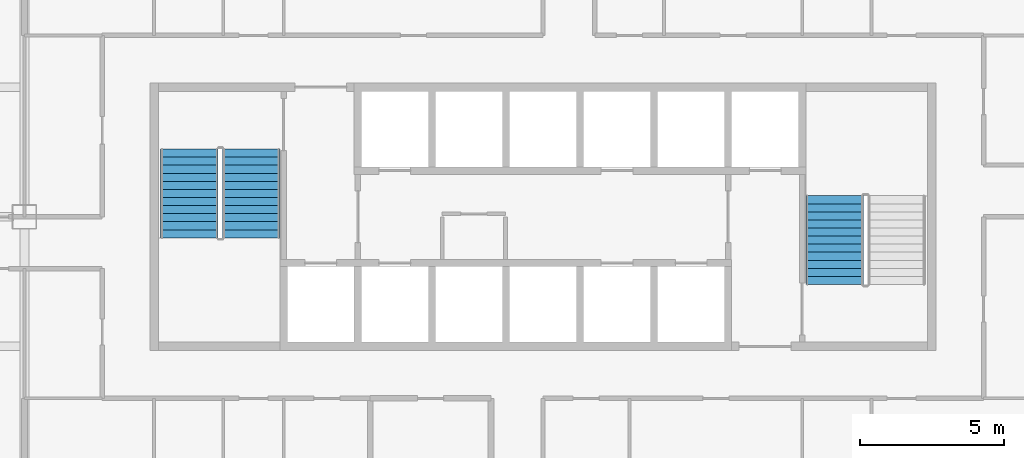
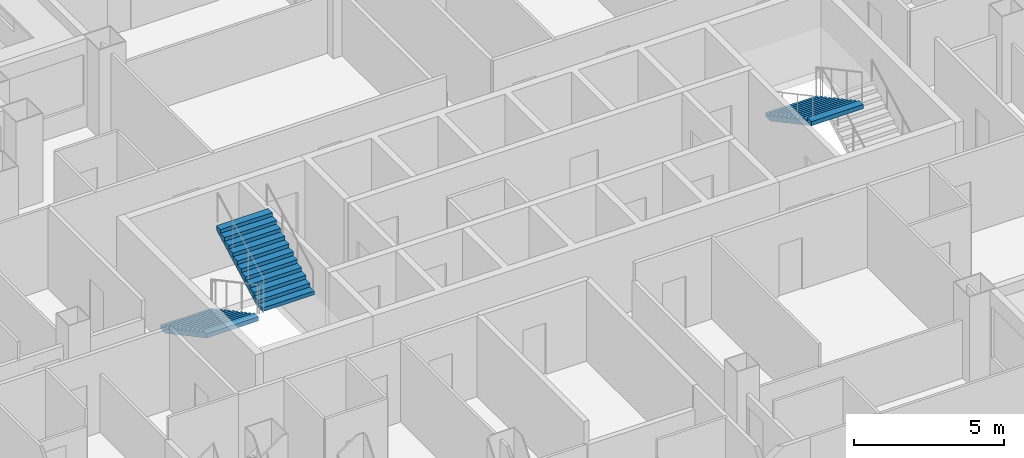
# One storey, part 10 of 14: 3 stair flights, 2 elements without a shape of their own.
"""IFC4 building model written with IfcOpenShell, lengths in metres."""

import ifcopenshell
import ifcopenshell.guid

model = None  # the IFC model being written
_history = None  # IfcOwnerHistory: only IFC2X3 demands one
_inside = {}  # id of a spatial element -> (the spatial element, [elements in it])
_under = {}  # id of a project, library or spatial element -> (it, [spatial elements below it])
_declared = {}  # id of a project -> (the project, [libraries it declares])
_typed = {}  # id of a type object -> (the type object, [elements of that type])
_made_of = {}  # id of a material, layer set ... -> (it, [elements and type objects made of it])


def new_model(schema):
    """Start an empty IFC model of exactly this schema.

    Asked for "IFC4X3", IfcOpenShell would pick the latest addendum, in which some entities
    have other attributes; the version numbers below select the first issue.
    IFC2X3 requires an IfcOwnerHistory on every rooted entity: one is made here for all.
    """
    global model, _history
    if schema == "IFC4X3":
        model = ifcopenshell.file(schema_version=(4, 3, 0, 0))
    else:
        model = ifcopenshell.file(schema=schema)
    _inside.clear()
    _under.clear()
    _declared.clear()
    _typed.clear()
    _made_of.clear()
    _history = None
    if model.schema == "IFC2X3":
        org = make("IfcOrganization", Name="unknown")
        user = make(
            "IfcPersonAndOrganization",
            ThePerson=make("IfcPerson", FamilyName="unknown"),
            TheOrganization=org,
        )
        app = make(
            "IfcApplication",
            ApplicationDeveloper=org,
            Version="unknown",
            ApplicationFullName="unknown",
            ApplicationIdentifier="unknown",
        )
        _history = make(
            "IfcOwnerHistory",
            OwningUser=user,
            OwningApplication=app,
            ChangeAction="ADDED",
            CreationDate=0,
        )
    return model


def make(cls, **values):
    """One entity of the class cls with the attributes given. An attribute that is None is left unset."""
    return model.create_entity(
        cls, **{name: value for name, value in values.items() if value is not None}
    )


def rooted(cls, **values):
    """An entity with a GlobalId (a new one), such as an element, a storey or a relation."""
    return make(cls, GlobalId=ifcopenshell.guid.new(), OwnerHistory=_history, **values)


def si_unit(unit_type, name, prefix=None):
    """IfcSIUnit, for example si_unit("LENGTHUNIT", "METRE", prefix="MILLI")."""
    return make("IfcSIUnit", UnitType=unit_type, Prefix=prefix, Name=name)


def assignment(units):
    """IfcUnitAssignment: the units of a project."""
    return None if units is None else make("IfcUnitAssignment", Units=units)


def point(xyz):
    """IfcCartesianPoint."""
    return None if xyz is None else make("IfcCartesianPoint", Coordinates=xyz)


def direction(xyz):
    """IfcDirection."""
    return None if xyz is None else make("IfcDirection", DirectionRatios=xyz)


def frame(location, z_axis=None, x_axis=None):
    """IfcAxis2Placement3D, a coordinate frame: its origin and axes. An axis left out is left unset."""
    return make(
        "IfcAxis2Placement3D",
        Location=point(location),
        Axis=direction(z_axis),
        RefDirection=direction(x_axis),
    )


def origin():
    """The frame at (0, 0, 0) with its axes left unset."""
    return frame((0.0, 0.0, 0.0))


def place(relative_to, where):
    """IfcLocalPlacement: puts the frame where relative to a parent placement (None: the world)."""
    return make(
        "IfcLocalPlacement", PlacementRelTo=relative_to, RelativePlacement=where
    )


def context(
    kind, dimensions, precision=None, world=None, true_north=None, identifier=None
):
    """IfcGeometricRepresentationContext, for example the 3D "Model" context."""
    return make(
        "IfcGeometricRepresentationContext",
        ContextIdentifier=identifier,
        ContextType=kind,
        CoordinateSpaceDimension=dimensions,
        Precision=precision,
        WorldCoordinateSystem=world,
        TrueNorth=true_north,
    )


def subcontext(parent, identifier, kind, view, scale=None):
    """IfcGeometricRepresentationSubContext, for example "Body" below "Model"."""
    return make(
        "IfcGeometricRepresentationSubContext",
        ContextIdentifier=identifier,
        ContextType=kind,
        ParentContext=parent,
        TargetScale=scale,
        TargetView=view,
    )


def project(units=None, contexts=None):
    """IfcProject with its units and contexts."""
    return rooted(
        "IfcProject",
        Name="project",
        RepresentationContexts=contexts,
        UnitsInContext=assignment(units),
    )


def spatial(cls, under=None, at=None, **own):
    """A site, building, storey or space (cls), placed at a placement, below another one or the project."""
    s = rooted(cls, ObjectPlacement=at, **own)
    if under is not None:
        _under.setdefault(under.id(), (under, []))[1].append(s)
    return s


def point_list(points):
    """IfcCartesianPointList2D or 3D."""
    cls = (
        "IfcCartesianPointList2D" if len(points[0]) == 2 else "IfcCartesianPointList3D"
    )
    return make(cls, CoordList=points)


def polygons(points, faces, closed=None, point_numbers=None):
    """IfcPolygonalFaceSet: a face is its outer loop, then its inner loops; points numbered from 1."""
    made = []
    for loops in faces:
        if len(loops) == 1:
            made.append(make("IfcIndexedPolygonalFace", CoordIndex=loops[0]))
        else:
            made.append(
                make(
                    "IfcIndexedPolygonalFaceWithVoids",
                    CoordIndex=loops[0],
                    InnerCoordIndices=loops[1:],
                )
            )
    return make(
        "IfcPolygonalFaceSet",
        Coordinates=point_list(points),
        Closed=closed,
        Faces=made,
        PnIndex=point_numbers,
    )


def shape(context_of_items, identifier, shape_type, items):
    """IfcShapeRepresentation: the items that make up one representation, for example the "Body"."""
    return make(
        "IfcShapeRepresentation",
        ContextOfItems=context_of_items,
        RepresentationIdentifier=identifier,
        RepresentationType=shape_type,
        Items=items,
    )


def material(Name=None, Category=None):
    """IfcMaterial."""
    return make("IfcMaterial", Name=Name, Category=Category)


def made_of(thing, what):
    """Note that an element or type object is made of a material, layer set ...; save() writes the relation."""
    if what is not None:
        _made_of.setdefault(what.id(), (what, []))[1].append(thing)
    return thing


def type_object(cls, material=None, **own):
    """A type object (cls), such as IfcWallType, which elements share."""
    return made_of(rooted(cls, **own), material)


def element(
    cls,
    number,
    at=None,
    inside=None,
    cuts=None,
    type_object=None,
    material=None,
    context=None,
    identifier="Body",
    shape_type=None,
    held_by="IfcProductDefinitionShape",
    body=None,
    shapes=None,
    **own,
):
    """One element of the class cls, such as IfcWall. Its Tag is "e" and its number.

    at: its placement. inside: the storey or other place that contains it. cuts: it is an
    opening in that element (IfcRelVoidsElement). A single representation is given by context,
    identifier, shape_type and body (its items); several are given by shapes. held_by: the class
    of the entity that holds the representations. save() writes the other relations.
    """
    e = rooted(cls, Tag="e%d" % number, ObjectPlacement=at, **own)
    if body is not None:
        shapes = [shape(context, identifier, shape_type, body)]
    if shapes is not None:
        e.Representation = make(held_by, Representations=shapes)
    if inside is not None:
        _inside.setdefault(inside.id(), (inside, []))[1].append(e)
    if cuts is not None:
        rooted(
            "IfcRelVoidsElement", RelatingBuildingElement=cuts, RelatedOpeningElement=e
        )
    if type_object is not None:
        _typed.setdefault(type_object.id(), (type_object, []))[1].append(e)
    return made_of(e, material)


def aggregate(whole, parts):
    """IfcRelAggregates: a whole, such as a stair, and the parts it consists of."""
    return rooted("IfcRelAggregates", RelatingObject=whole, RelatedObjects=parts)


def save(model, path):
    """Write the relations noted so far, then the file.

    IfcRelAggregates (storeys below a building ...), IfcRelContainedInSpatialStructure (elements
    in a storey), IfcRelDefinesByType, IfcRelAssociatesMaterial and IfcRelDeclares: one each for
    every whole, place, type object, material and project.
    """
    for whole, parts in _under.values():
        aggregate(whole, parts)
    for where, things in _inside.values():
        rooted(
            "IfcRelContainedInSpatialStructure",
            RelatedElements=things,
            RelatingStructure=where,
        )
    for kind, things in _typed.values():
        rooted("IfcRelDefinesByType", RelatedObjects=things, RelatingType=kind)
    for what, things in _made_of.values():
        rooted("IfcRelAssociatesMaterial", RelatedObjects=things, RelatingMaterial=what)
    for by, libraries in _declared.values():
        rooted("IfcRelDeclares", RelatingContext=by, RelatedDefinitions=libraries)
    model.write(path)


model = new_model("IFC4")

# Units and contexts
model_context = context("Model", 3, precision=1e-05, world=origin(), true_north=direction((0.0, 1.0)))
body_context = subcontext(model_context, "Body", "Model", "MODEL_VIEW")
ifc_project = project(units=[si_unit("LENGTHUNIT", "METRE"), si_unit("AREAUNIT", "SQUARE_METRE"), si_unit("VOLUMEUNIT", "CUBIC_METRE"), si_unit("PLANEANGLEUNIT", "RADIAN"), si_unit("MASSUNIT", "GRAM", prefix="KILO")], contexts=[model_context])

# Site, building, storey
site_placement = place(None, origin())
site = spatial("IfcSite", under=ifc_project, at=site_placement, CompositionType="ELEMENT")
building_placement = place(site_placement, origin())
building = spatial("IfcBuilding", under=site, at=building_placement, Name="Caravel Reach Hotel and Residences", CompositionType="ELEMENT")
storey_placement = place(building_placement, frame((0.0, 0.0, 37.199951171875)))
storey = spatial("IfcBuildingStorey", under=building, at=storey_placement, Name="L07", CompositionType="ELEMENT", Elevation=37.199951171875)

# Stair, stair flights
ifc_material_1 = material(Name="Concrete C40", Category="concrete")
stair_type = type_object("IfcStairType", Name="Core stair", PredefinedType="HALF_TURN_STAIR", material=ifc_material_1)
stair_1_placement = place(storey_placement, origin())
stair_1 = element("IfcStair", 1, at=stair_1_placement, inside=storey, type_object=stair_type, Name="L07 Exit stair A", PredefinedType="HALF_TURN_STAIR")
ifc_material_2 = material(Name="Concrete C40", Category="concrete")
stair_flight_type = type_object("IfcStairFlightType", Name="Core stair flight", PredefinedType="STRAIGHT", material=ifc_material_2)
stair_flight_1_placement = place(storey_placement, frame((19.22509765625, 29.35009765625, 0.0), z_axis=(0.0, 0.0, 1.0), x_axis=(0.0, -1.0, 0.0)))
stair_flight_1 = element("IfcStairFlight", 2, at=stair_flight_1_placement, type_object=stair_flight_type, Name="ST-A flight 1", NumberOfRisers=12, NumberOfTreads=11, PredefinedType="STRAIGHT", RiserHeight=0.15, TreadLength=0.28, context=body_context, shape_type="Tessellation", body=[
    polygons([(0.3174408016601862, 1.0, 0.0), (0.3174408016601862, 0.6666666666666667, 0.0), (0.3174408016601862, 0.33333333333333337, 0.0), (0.3174408016601862, 0.0, 0.0), (0.3174408016601862, -0.33333333333333326, 0.0), (0.3174408016601862, -0.6666666666666667, 0.0), (0.3174408016601862, -1.0, 0.0), (3.081, 1.0, 1.479942427682043), (3.081, 0.6666666666666667, 1.479942427682043), (3.081, 0.33333333333333337, 1.479942427682043), (3.081, 0.0, 1.479942427682043), (3.081, -0.33333333333333326, 1.479942427682043), (3.081, -0.6666666666666667, 1.479942427682043), (3.081, -1.0, 1.479942427682043), (3.081, 1.0, 1.65), (3.081, 0.6666666666666667, 1.65), (3.081, 0.33333333333333337, 1.65), (3.081, 0.0, 1.65), (3.081, -0.33333333333333326, 1.65), (3.081, -0.6666666666666667, 1.65), (3.081, -1.0, 1.65), (2.8000000000000003, 1.0, 1.65), (2.8000000000000003, 0.6666666666666667, 1.65), (2.8000000000000003, 0.33333333333333337, 1.65), (2.8000000000000003, 0.0, 1.65), (2.8000000000000003, -0.33333333333333326, 1.65), (2.8000000000000003, -0.6666666666666667, 1.65), (2.8000000000000003, -1.0, 1.65), (2.8000000000000003, 1.0, 1.5), (2.8000000000000003, 0.6666666666666667, 1.5), (2.8000000000000003, 0.33333333333333337, 1.5), (2.8000000000000003, 0.0, 1.5), (2.8000000000000003, -0.33333333333333326, 1.5), (2.8000000000000003, -0.6666666666666667, 1.5), (2.8000000000000003, -1.0, 1.5), (2.5200000000000005, 1.0, 1.5), (2.5200000000000005, 0.6666666666666667, 1.5), (2.5200000000000005, 0.33333333333333337, 1.5), (2.5200000000000005, 0.0, 1.5), (2.5200000000000005, -0.33333333333333326, 1.5), (2.5200000000000005, -0.6666666666666667, 1.5), (2.5200000000000005, -1.0, 1.5), (2.5200000000000005, 1.0, 1.3499999999999999), (2.5200000000000005, 0.6666666666666667, 1.3499999999999999), (2.5200000000000005, 0.33333333333333337, 1.3499999999999999), (2.5200000000000005, 0.0, 1.3499999999999999), (2.5200000000000005, -0.33333333333333326, 1.3499999999999999), (2.5200000000000005, -0.6666666666666667, 1.3499999999999999), (2.5200000000000005, -1.0, 1.3499999999999999), (2.24, 1.0, 1.3499999999999999), (2.24, 0.6666666666666667, 1.3499999999999999), (2.24, 0.33333333333333337, 1.3499999999999999), (2.24, 0.0, 1.3499999999999999), (2.24, -0.33333333333333326, 1.3499999999999999), (2.24, -0.6666666666666667, 1.3499999999999999), (2.24, -1.0, 1.3499999999999999), (2.24, 1.0, 1.2), (2.24, 0.6666666666666667, 1.2), (2.24, 0.33333333333333337, 1.2), (2.24, 0.0, 1.2), (2.24, -0.33333333333333326, 1.2), (2.24, -0.6666666666666667, 1.2), (2.24, -1.0, 1.2), (1.9600000000000002, 1.0, 1.2), (1.9600000000000002, 0.6666666666666667, 1.2), (1.9600000000000002, 0.33333333333333337, 1.2), (1.9600000000000002, 0.0, 1.2), (1.9600000000000002, -0.33333333333333326, 1.2), (1.9600000000000002, -0.6666666666666667, 1.2), (1.9600000000000002, -1.0, 1.2), (1.9600000000000002, 1.0, 1.05), (1.9600000000000002, 0.6666666666666667, 1.05), (1.9600000000000002, 0.33333333333333337, 1.05), (1.9600000000000002, 0.0, 1.05), (1.9600000000000002, -0.33333333333333326, 1.05), (1.9600000000000002, -0.6666666666666667, 1.05), (1.9600000000000002, -1.0, 1.05), (1.6800000000000002, 1.0, 1.05), (1.6800000000000002, 0.6666666666666667, 1.05), (1.6800000000000002, 0.33333333333333337, 1.05), (1.6800000000000002, 0.0, 1.05), (1.6800000000000002, -0.33333333333333326, 1.05), (1.6800000000000002, -0.6666666666666667, 1.05), (1.6800000000000002, -1.0, 1.05), (1.6800000000000002, 1.0, 0.8999999999999999), (1.6800000000000002, 0.6666666666666667, 0.8999999999999999), (1.6800000000000002, 0.33333333333333337, 0.8999999999999999), (1.6800000000000002, 0.0, 0.8999999999999999), (1.6800000000000002, -0.33333333333333326, 0.8999999999999999), (1.6800000000000002, -0.6666666666666667, 0.8999999999999999), (1.6800000000000002, -1.0, 0.8999999999999999), (1.4000000000000001, 1.0, 0.8999999999999999), (1.4000000000000001, 0.6666666666666667, 0.8999999999999999), (1.4000000000000001, 0.33333333333333337, 0.8999999999999999), (1.4000000000000001, 0.0, 0.8999999999999999), (1.4000000000000001, -0.33333333333333326, 0.8999999999999999), (1.4000000000000001, -0.6666666666666667, 0.8999999999999999), (1.4000000000000001, -1.0, 0.8999999999999999), (1.4000000000000001, 1.0, 0.75), (1.4000000000000001, 0.6666666666666667, 0.75), (1.4000000000000001, 0.33333333333333337, 0.75), (1.4000000000000001, 0.0, 0.75), (1.4000000000000001, -0.33333333333333326, 0.75), (1.4000000000000001, -0.6666666666666667, 0.75), (1.4000000000000001, -1.0, 0.75), (1.12, 1.0, 0.75), (1.12, 0.6666666666666667, 0.75), (1.12, 0.33333333333333337, 0.75), (1.12, 0.0, 0.75), (1.12, -0.33333333333333326, 0.75), (1.12, -0.6666666666666667, 0.75), (1.12, -1.0, 0.75), (1.12, 1.0, 0.6), (1.12, 0.6666666666666667, 0.6), (1.12, 0.33333333333333337, 0.6), (1.12, 0.0, 0.6), (1.12, -0.33333333333333326, 0.6), (1.12, -0.6666666666666667, 0.6), (1.12, -1.0, 0.6), (0.8400000000000001, 1.0, 0.6), (0.8400000000000001, 0.6666666666666667, 0.6), (0.8400000000000001, 0.33333333333333337, 0.6), (0.8400000000000001, 0.0, 0.6), (0.8400000000000001, -0.33333333333333326, 0.6), (0.8400000000000001, -0.6666666666666667, 0.6), (0.8400000000000001, -1.0, 0.6), (0.8400000000000001, 1.0, 0.44999999999999996), (0.8400000000000001, 0.6666666666666667, 0.44999999999999996), (0.8400000000000001, 0.33333333333333337, 0.44999999999999996), (0.8400000000000001, 0.0, 0.44999999999999996), (0.8400000000000001, -0.33333333333333326, 0.44999999999999996), (0.8400000000000001, -0.6666666666666667, 0.44999999999999996), (0.8400000000000001, -1.0, 0.44999999999999996), (0.56, 1.0, 0.44999999999999996), (0.56, 0.6666666666666667, 0.44999999999999996), (0.56, 0.33333333333333337, 0.44999999999999996), (0.56, 0.0, 0.44999999999999996), (0.56, -0.33333333333333326, 0.44999999999999996), (0.56, -0.6666666666666667, 0.44999999999999996), (0.56, -1.0, 0.44999999999999996), (0.56, 1.0, 0.3), (0.56, 0.6666666666666667, 0.3), (0.56, 0.33333333333333337, 0.3), (0.56, 0.0, 0.3), (0.56, -0.33333333333333326, 0.3), (0.56, -0.6666666666666667, 0.3), (0.56, -1.0, 0.3), (0.28, 1.0, 0.3), (0.28, 0.6666666666666667, 0.3), (0.28, 0.33333333333333337, 0.3), (0.28, 0.0, 0.3), (0.28, -0.33333333333333326, 0.3), (0.28, -0.6666666666666667, 0.3), (0.28, -1.0, 0.3), (0.28, 1.0, 0.15), (0.28, 0.6666666666666667, 0.15), (0.28, 0.33333333333333337, 0.15), (0.28, 0.0, 0.15), (0.28, -0.33333333333333326, 0.15), (0.28, -0.6666666666666667, 0.15), (0.28, -1.0, 0.15), (-0.001, 1.0, 0.15), (-0.001, 0.6666666666666667, 0.15), (-0.001, 0.33333333333333337, 0.15), (-0.001, 0.0, 0.15), (-0.001, -0.33333333333333326, 0.15), (-0.001, -0.6666666666666667, 0.15), (-0.001, -1.0, 0.15), (-0.001, 1.0, 0.0), (-0.001, 0.6666666666666667, 0.0), (-0.001, 0.33333333333333337, 0.0), (-0.001, 0.0, 0.0), (-0.001, -0.33333333333333326, 0.0), (-0.001, -0.6666666666666667, 0.0), (-0.001, -1.0, 0.0)], [[[169, 162, 155, 148, 141, 134, 127, 120, 113, 106, 99, 92, 85, 78, 71, 64, 57, 50, 43, 36, 29, 22, 15, 8, 1]], [[7, 14, 21, 28, 35, 42, 49, 56, 63, 70, 77, 84, 91, 98, 105, 112, 119, 126, 133, 140, 147, 154, 161, 168, 175]], [[1, 8, 9, 2]], [[2, 9, 10, 3]], [[3, 10, 11, 4]], [[4, 11, 12, 5]], [[5, 12, 13, 6]], [[6, 13, 14, 7]], [[8, 15, 16, 9]], [[9, 16, 17, 10]], [[10, 17, 18, 11]], [[11, 18, 19, 12]], [[12, 19, 20, 13]], [[13, 20, 21, 14]], [[15, 22, 23, 16]], [[16, 23, 24, 17]], [[17, 24, 25, 18]], [[18, 25, 26, 19]], [[19, 26, 27, 20]], [[20, 27, 28, 21]], [[22, 29, 30, 23]], [[23, 30, 31, 24]], [[24, 31, 32, 25]], [[25, 32, 33, 26]], [[26, 33, 34, 27]], [[27, 34, 35, 28]], [[29, 36, 37, 30]], [[30, 37, 38, 31]], [[31, 38, 39, 32]], [[32, 39, 40, 33]], [[33, 40, 41, 34]], [[34, 41, 42, 35]], [[36, 43, 44, 37]], [[37, 44, 45, 38]], [[38, 45, 46, 39]], [[39, 46, 47, 40]], [[40, 47, 48, 41]], [[41, 48, 49, 42]], [[43, 50, 51, 44]], [[44, 51, 52, 45]], [[45, 52, 53, 46]], [[46, 53, 54, 47]], [[47, 54, 55, 48]], [[48, 55, 56, 49]], [[50, 57, 58, 51]], [[51, 58, 59, 52]], [[52, 59, 60, 53]], [[53, 60, 61, 54]], [[54, 61, 62, 55]], [[55, 62, 63, 56]], [[57, 64, 65, 58]], [[58, 65, 66, 59]], [[59, 66, 67, 60]], [[60, 67, 68, 61]], [[61, 68, 69, 62]], [[62, 69, 70, 63]], [[64, 71, 72, 65]], [[65, 72, 73, 66]], [[66, 73, 74, 67]], [[67, 74, 75, 68]], [[68, 75, 76, 69]], [[69, 76, 77, 70]], [[71, 78, 79, 72]], [[72, 79, 80, 73]], [[73, 80, 81, 74]], [[74, 81, 82, 75]], [[75, 82, 83, 76]], [[76, 83, 84, 77]], [[78, 85, 86, 79]], [[79, 86, 87, 80]], [[80, 87, 88, 81]], [[81, 88, 89, 82]], [[82, 89, 90, 83]], [[83, 90, 91, 84]], [[85, 92, 93, 86]], [[86, 93, 94, 87]], [[87, 94, 95, 88]], [[88, 95, 96, 89]], [[89, 96, 97, 90]], [[90, 97, 98, 91]], [[92, 99, 100, 93]], [[93, 100, 101, 94]], [[94, 101, 102, 95]], [[95, 102, 103, 96]], [[96, 103, 104, 97]], [[97, 104, 105, 98]], [[99, 106, 107, 100]], [[100, 107, 108, 101]], [[101, 108, 109, 102]], [[102, 109, 110, 103]], [[103, 110, 111, 104]], [[104, 111, 112, 105]], [[106, 113, 114, 107]], [[107, 114, 115, 108]], [[108, 115, 116, 109]], [[109, 116, 117, 110]], [[110, 117, 118, 111]], [[111, 118, 119, 112]], [[113, 120, 121, 114]], [[114, 121, 122, 115]], [[115, 122, 123, 116]], [[116, 123, 124, 117]], [[117, 124, 125, 118]], [[118, 125, 126, 119]], [[120, 127, 128, 121]], [[121, 128, 129, 122]], [[122, 129, 130, 123]], [[123, 130, 131, 124]], [[124, 131, 132, 125]], [[125, 132, 133, 126]], [[127, 134, 135, 128]], [[128, 135, 136, 129]], [[129, 136, 137, 130]], [[130, 137, 138, 131]], [[131, 138, 139, 132]], [[132, 139, 140, 133]], [[134, 141, 142, 135]], [[135, 142, 143, 136]], [[136, 143, 144, 137]], [[137, 144, 145, 138]], [[138, 145, 146, 139]], [[139, 146, 147, 140]], [[141, 148, 149, 142]], [[142, 149, 150, 143]], [[143, 150, 151, 144]], [[144, 151, 152, 145]], [[145, 152, 153, 146]], [[146, 153, 154, 147]], [[148, 155, 156, 149]], [[149, 156, 157, 150]], [[150, 157, 158, 151]], [[151, 158, 159, 152]], [[152, 159, 160, 153]], [[153, 160, 161, 154]], [[155, 162, 163, 156]], [[156, 163, 164, 157]], [[157, 164, 165, 158]], [[158, 165, 166, 159]], [[159, 166, 167, 160]], [[160, 167, 168, 161]], [[162, 169, 170, 163]], [[163, 170, 171, 164]], [[164, 171, 172, 165]], [[165, 172, 173, 166]], [[166, 173, 174, 167]], [[167, 174, 175, 168]], [[169, 1, 2, 170]], [[170, 2, 3, 171]], [[171, 3, 4, 172]], [[172, 4, 5, 173]], [[173, 5, 6, 174]], [[174, 6, 7, 175]]], closed=True),
])
stair_flight_2_placement = place(storey_placement, frame((21.375, 26.27001953125, 1.800048828125), z_axis=(0.0, 0.0, 1.0), x_axis=(0.0, 1.0, 0.0)))
stair_flight_2 = element("IfcStairFlight", 3, at=stair_flight_2_placement, type_object=stair_flight_type, Name="ST-A flight 2", NumberOfRisers=12, NumberOfTreads=11, PredefinedType="STRAIGHT", RiserHeight=0.15, TreadLength=0.28, context=body_context, shape_type="Tessellation", body=[
    polygons([(0.3174408016601862, 1.0, 0.0), (0.3174408016601862, 0.6666666666666667, 0.0), (0.3174408016601862, 0.33333333333333337, 0.0), (0.3174408016601862, 0.0, 0.0), (0.3174408016601862, -0.33333333333333326, 0.0), (0.3174408016601862, -0.6666666666666667, 0.0), (0.3174408016601862, -1.0, 0.0), (3.081, 1.0, 1.479942427682043), (3.081, 0.6666666666666667, 1.479942427682043), (3.081, 0.33333333333333337, 1.479942427682043), (3.081, 0.0, 1.479942427682043), (3.081, -0.33333333333333326, 1.479942427682043), (3.081, -0.6666666666666667, 1.479942427682043), (3.081, -1.0, 1.479942427682043), (3.081, 1.0, 1.65), (3.081, 0.6666666666666667, 1.65), (3.081, 0.33333333333333337, 1.65), (3.081, 0.0, 1.65), (3.081, -0.33333333333333326, 1.65), (3.081, -0.6666666666666667, 1.65), (3.081, -1.0, 1.65), (2.8000000000000003, 1.0, 1.65), (2.8000000000000003, 0.6666666666666667, 1.65), (2.8000000000000003, 0.33333333333333337, 1.65), (2.8000000000000003, 0.0, 1.65), (2.8000000000000003, -0.33333333333333326, 1.65), (2.8000000000000003, -0.6666666666666667, 1.65), (2.8000000000000003, -1.0, 1.65), (2.8000000000000003, 1.0, 1.5), (2.8000000000000003, 0.6666666666666667, 1.5), (2.8000000000000003, 0.33333333333333337, 1.5), (2.8000000000000003, 0.0, 1.5), (2.8000000000000003, -0.33333333333333326, 1.5), (2.8000000000000003, -0.6666666666666667, 1.5), (2.8000000000000003, -1.0, 1.5), (2.5200000000000005, 1.0, 1.5), (2.5200000000000005, 0.6666666666666667, 1.5), (2.5200000000000005, 0.33333333333333337, 1.5), (2.5200000000000005, 0.0, 1.5), (2.5200000000000005, -0.33333333333333326, 1.5), (2.5200000000000005, -0.6666666666666667, 1.5), (2.5200000000000005, -1.0, 1.5), (2.5200000000000005, 1.0, 1.3499999999999999), (2.5200000000000005, 0.6666666666666667, 1.3499999999999999), (2.5200000000000005, 0.33333333333333337, 1.3499999999999999), (2.5200000000000005, 0.0, 1.3499999999999999), (2.5200000000000005, -0.33333333333333326, 1.3499999999999999), (2.5200000000000005, -0.6666666666666667, 1.3499999999999999), (2.5200000000000005, -1.0, 1.3499999999999999), (2.24, 1.0, 1.3499999999999999), (2.24, 0.6666666666666667, 1.3499999999999999), (2.24, 0.33333333333333337, 1.3499999999999999), (2.24, 0.0, 1.3499999999999999), (2.24, -0.33333333333333326, 1.3499999999999999), (2.24, -0.6666666666666667, 1.3499999999999999), (2.24, -1.0, 1.3499999999999999), (2.24, 1.0, 1.2), (2.24, 0.6666666666666667, 1.2), (2.24, 0.33333333333333337, 1.2), (2.24, 0.0, 1.2), (2.24, -0.33333333333333326, 1.2), (2.24, -0.6666666666666667, 1.2), (2.24, -1.0, 1.2), (1.9600000000000002, 1.0, 1.2), (1.9600000000000002, 0.6666666666666667, 1.2), (1.9600000000000002, 0.33333333333333337, 1.2), (1.9600000000000002, 0.0, 1.2), (1.9600000000000002, -0.33333333333333326, 1.2), (1.9600000000000002, -0.6666666666666667, 1.2), (1.9600000000000002, -1.0, 1.2), (1.9600000000000002, 1.0, 1.05), (1.9600000000000002, 0.6666666666666667, 1.05), (1.9600000000000002, 0.33333333333333337, 1.05), (1.9600000000000002, 0.0, 1.05), (1.9600000000000002, -0.33333333333333326, 1.05), (1.9600000000000002, -0.6666666666666667, 1.05), (1.9600000000000002, -1.0, 1.05), (1.6800000000000002, 1.0, 1.05), (1.6800000000000002, 0.6666666666666667, 1.05), (1.6800000000000002, 0.33333333333333337, 1.05), (1.6800000000000002, 0.0, 1.05), (1.6800000000000002, -0.33333333333333326, 1.05), (1.6800000000000002, -0.6666666666666667, 1.05), (1.6800000000000002, -1.0, 1.05), (1.6800000000000002, 1.0, 0.8999999999999999), (1.6800000000000002, 0.6666666666666667, 0.8999999999999999), (1.6800000000000002, 0.33333333333333337, 0.8999999999999999), (1.6800000000000002, 0.0, 0.8999999999999999), (1.6800000000000002, -0.33333333333333326, 0.8999999999999999), (1.6800000000000002, -0.6666666666666667, 0.8999999999999999), (1.6800000000000002, -1.0, 0.8999999999999999), (1.4000000000000001, 1.0, 0.8999999999999999), (1.4000000000000001, 0.6666666666666667, 0.8999999999999999), (1.4000000000000001, 0.33333333333333337, 0.8999999999999999), (1.4000000000000001, 0.0, 0.8999999999999999), (1.4000000000000001, -0.33333333333333326, 0.8999999999999999), (1.4000000000000001, -0.6666666666666667, 0.8999999999999999), (1.4000000000000001, -1.0, 0.8999999999999999), (1.4000000000000001, 1.0, 0.75), (1.4000000000000001, 0.6666666666666667, 0.75), (1.4000000000000001, 0.33333333333333337, 0.75), (1.4000000000000001, 0.0, 0.75), (1.4000000000000001, -0.33333333333333326, 0.75), (1.4000000000000001, -0.6666666666666667, 0.75), (1.4000000000000001, -1.0, 0.75), (1.12, 1.0, 0.75), (1.12, 0.6666666666666667, 0.75), (1.12, 0.33333333333333337, 0.75), (1.12, 0.0, 0.75), (1.12, -0.33333333333333326, 0.75), (1.12, -0.6666666666666667, 0.75), (1.12, -1.0, 0.75), (1.12, 1.0, 0.6), (1.12, 0.6666666666666667, 0.6), (1.12, 0.33333333333333337, 0.6), (1.12, 0.0, 0.6), (1.12, -0.33333333333333326, 0.6), (1.12, -0.6666666666666667, 0.6), (1.12, -1.0, 0.6), (0.8400000000000001, 1.0, 0.6), (0.8400000000000001, 0.6666666666666667, 0.6), (0.8400000000000001, 0.33333333333333337, 0.6), (0.8400000000000001, 0.0, 0.6), (0.8400000000000001, -0.33333333333333326, 0.6), (0.8400000000000001, -0.6666666666666667, 0.6), (0.8400000000000001, -1.0, 0.6), (0.8400000000000001, 1.0, 0.44999999999999996), (0.8400000000000001, 0.6666666666666667, 0.44999999999999996), (0.8400000000000001, 0.33333333333333337, 0.44999999999999996), (0.8400000000000001, 0.0, 0.44999999999999996), (0.8400000000000001, -0.33333333333333326, 0.44999999999999996), (0.8400000000000001, -0.6666666666666667, 0.44999999999999996), (0.8400000000000001, -1.0, 0.44999999999999996), (0.56, 1.0, 0.44999999999999996), (0.56, 0.6666666666666667, 0.44999999999999996), (0.56, 0.33333333333333337, 0.44999999999999996), (0.56, 0.0, 0.44999999999999996), (0.56, -0.33333333333333326, 0.44999999999999996), (0.56, -0.6666666666666667, 0.44999999999999996), (0.56, -1.0, 0.44999999999999996), (0.56, 1.0, 0.3), (0.56, 0.6666666666666667, 0.3), (0.56, 0.33333333333333337, 0.3), (0.56, 0.0, 0.3), (0.56, -0.33333333333333326, 0.3), (0.56, -0.6666666666666667, 0.3), (0.56, -1.0, 0.3), (0.28, 1.0, 0.3), (0.28, 0.6666666666666667, 0.3), (0.28, 0.33333333333333337, 0.3), (0.28, 0.0, 0.3), (0.28, -0.33333333333333326, 0.3), (0.28, -0.6666666666666667, 0.3), (0.28, -1.0, 0.3), (0.28, 1.0, 0.15), (0.28, 0.6666666666666667, 0.15), (0.28, 0.33333333333333337, 0.15), (0.28, 0.0, 0.15), (0.28, -0.33333333333333326, 0.15), (0.28, -0.6666666666666667, 0.15), (0.28, -1.0, 0.15), (-0.001, 1.0, 0.15), (-0.001, 0.6666666666666667, 0.15), (-0.001, 0.33333333333333337, 0.15), (-0.001, 0.0, 0.15), (-0.001, -0.33333333333333326, 0.15), (-0.001, -0.6666666666666667, 0.15), (-0.001, -1.0, 0.15), (-0.001, 1.0, 0.0), (-0.001, 0.6666666666666667, 0.0), (-0.001, 0.33333333333333337, 0.0), (-0.001, 0.0, 0.0), (-0.001, -0.33333333333333326, 0.0), (-0.001, -0.6666666666666667, 0.0), (-0.001, -1.0, 0.0)], [[[169, 162, 155, 148, 141, 134, 127, 120, 113, 106, 99, 92, 85, 78, 71, 64, 57, 50, 43, 36, 29, 22, 15, 8, 1]], [[7, 14, 21, 28, 35, 42, 49, 56, 63, 70, 77, 84, 91, 98, 105, 112, 119, 126, 133, 140, 147, 154, 161, 168, 175]], [[1, 8, 9, 2]], [[2, 9, 10, 3]], [[3, 10, 11, 4]], [[4, 11, 12, 5]], [[5, 12, 13, 6]], [[6, 13, 14, 7]], [[8, 15, 16, 9]], [[9, 16, 17, 10]], [[10, 17, 18, 11]], [[11, 18, 19, 12]], [[12, 19, 20, 13]], [[13, 20, 21, 14]], [[15, 22, 23, 16]], [[16, 23, 24, 17]], [[17, 24, 25, 18]], [[18, 25, 26, 19]], [[19, 26, 27, 20]], [[20, 27, 28, 21]], [[22, 29, 30, 23]], [[23, 30, 31, 24]], [[24, 31, 32, 25]], [[25, 32, 33, 26]], [[26, 33, 34, 27]], [[27, 34, 35, 28]], [[29, 36, 37, 30]], [[30, 37, 38, 31]], [[31, 38, 39, 32]], [[32, 39, 40, 33]], [[33, 40, 41, 34]], [[34, 41, 42, 35]], [[36, 43, 44, 37]], [[37, 44, 45, 38]], [[38, 45, 46, 39]], [[39, 46, 47, 40]], [[40, 47, 48, 41]], [[41, 48, 49, 42]], [[43, 50, 51, 44]], [[44, 51, 52, 45]], [[45, 52, 53, 46]], [[46, 53, 54, 47]], [[47, 54, 55, 48]], [[48, 55, 56, 49]], [[50, 57, 58, 51]], [[51, 58, 59, 52]], [[52, 59, 60, 53]], [[53, 60, 61, 54]], [[54, 61, 62, 55]], [[55, 62, 63, 56]], [[57, 64, 65, 58]], [[58, 65, 66, 59]], [[59, 66, 67, 60]], [[60, 67, 68, 61]], [[61, 68, 69, 62]], [[62, 69, 70, 63]], [[64, 71, 72, 65]], [[65, 72, 73, 66]], [[66, 73, 74, 67]], [[67, 74, 75, 68]], [[68, 75, 76, 69]], [[69, 76, 77, 70]], [[71, 78, 79, 72]], [[72, 79, 80, 73]], [[73, 80, 81, 74]], [[74, 81, 82, 75]], [[75, 82, 83, 76]], [[76, 83, 84, 77]], [[78, 85, 86, 79]], [[79, 86, 87, 80]], [[80, 87, 88, 81]], [[81, 88, 89, 82]], [[82, 89, 90, 83]], [[83, 90, 91, 84]], [[85, 92, 93, 86]], [[86, 93, 94, 87]], [[87, 94, 95, 88]], [[88, 95, 96, 89]], [[89, 96, 97, 90]], [[90, 97, 98, 91]], [[92, 99, 100, 93]], [[93, 100, 101, 94]], [[94, 101, 102, 95]], [[95, 102, 103, 96]], [[96, 103, 104, 97]], [[97, 104, 105, 98]], [[99, 106, 107, 100]], [[100, 107, 108, 101]], [[101, 108, 109, 102]], [[102, 109, 110, 103]], [[103, 110, 111, 104]], [[104, 111, 112, 105]], [[106, 113, 114, 107]], [[107, 114, 115, 108]], [[108, 115, 116, 109]], [[109, 116, 117, 110]], [[110, 117, 118, 111]], [[111, 118, 119, 112]], [[113, 120, 121, 114]], [[114, 121, 122, 115]], [[115, 122, 123, 116]], [[116, 123, 124, 117]], [[117, 124, 125, 118]], [[118, 125, 126, 119]], [[120, 127, 128, 121]], [[121, 128, 129, 122]], [[122, 129, 130, 123]], [[123, 130, 131, 124]], [[124, 131, 132, 125]], [[125, 132, 133, 126]], [[127, 134, 135, 128]], [[128, 135, 136, 129]], [[129, 136, 137, 130]], [[130, 137, 138, 131]], [[131, 138, 139, 132]], [[132, 139, 140, 133]], [[134, 141, 142, 135]], [[135, 142, 143, 136]], [[136, 143, 144, 137]], [[137, 144, 145, 138]], [[138, 145, 146, 139]], [[139, 146, 147, 140]], [[141, 148, 149, 142]], [[142, 149, 150, 143]], [[143, 150, 151, 144]], [[144, 151, 152, 145]], [[145, 152, 153, 146]], [[146, 153, 154, 147]], [[148, 155, 156, 149]], [[149, 156, 157, 150]], [[150, 157, 158, 151]], [[151, 158, 159, 152]], [[152, 159, 160, 153]], [[153, 160, 161, 154]], [[155, 162, 163, 156]], [[156, 163, 164, 157]], [[157, 164, 165, 158]], [[158, 165, 166, 159]], [[159, 166, 167, 160]], [[160, 167, 168, 161]], [[162, 169, 170, 163]], [[163, 170, 171, 164]], [[164, 171, 172, 165]], [[165, 172, 173, 166]], [[166, 173, 174, 167]], [[167, 174, 175, 168]], [[169, 1, 2, 170]], [[170, 2, 3, 171]], [[171, 3, 4, 172]], [[172, 4, 5, 173]], [[173, 5, 6, 174]], [[174, 6, 7, 175]]], closed=True),
])
aggregate(stair_1, [stair_flight_1, stair_flight_2])

# Stair, stair flight
stair_2_placement = place(storey_placement, origin())
stair_2 = element("IfcStair", 4, at=stair_2_placement, inside=storey, type_object=stair_type, Name="L07 Exit stair B", PredefinedType="HALF_TURN_STAIR")
stair_flight_3_placement = place(storey_placement, frame((41.625, 27.72998046875, 1.800048828125), z_axis=(0.0, 0.0, 1.0), x_axis=(0.0, -1.0, 0.0)))
stair_flight_3 = element("IfcStairFlight", 5, at=stair_flight_3_placement, type_object=stair_flight_type, Name="ST-B flight 2", NumberOfRisers=12, NumberOfTreads=11, PredefinedType="STRAIGHT", RiserHeight=0.15, TreadLength=0.28, context=body_context, shape_type="Tessellation", body=[
    polygons([(0.3174408016601862, 1.0, 0.0), (0.3174408016601862, 0.6666666666666667, 0.0), (0.3174408016601862, 0.33333333333333337, 0.0), (0.3174408016601862, 0.0, 0.0), (0.3174408016601862, -0.33333333333333326, 0.0), (0.3174408016601862, -0.6666666666666667, 0.0), (0.3174408016601862, -1.0, 0.0), (3.081, 1.0, 1.479942427682043), (3.081, 0.6666666666666667, 1.479942427682043), (3.081, 0.33333333333333337, 1.479942427682043), (3.081, 0.0, 1.479942427682043), (3.081, -0.33333333333333326, 1.479942427682043), (3.081, -0.6666666666666667, 1.479942427682043), (3.081, -1.0, 1.479942427682043), (3.081, 1.0, 1.65), (3.081, 0.6666666666666667, 1.65), (3.081, 0.33333333333333337, 1.65), (3.081, 0.0, 1.65), (3.081, -0.33333333333333326, 1.65), (3.081, -0.6666666666666667, 1.65), (3.081, -1.0, 1.65), (2.8000000000000003, 1.0, 1.65), (2.8000000000000003, 0.6666666666666667, 1.65), (2.8000000000000003, 0.33333333333333337, 1.65), (2.8000000000000003, 0.0, 1.65), (2.8000000000000003, -0.33333333333333326, 1.65), (2.8000000000000003, -0.6666666666666667, 1.65), (2.8000000000000003, -1.0, 1.65), (2.8000000000000003, 1.0, 1.5), (2.8000000000000003, 0.6666666666666667, 1.5), (2.8000000000000003, 0.33333333333333337, 1.5), (2.8000000000000003, 0.0, 1.5), (2.8000000000000003, -0.33333333333333326, 1.5), (2.8000000000000003, -0.6666666666666667, 1.5), (2.8000000000000003, -1.0, 1.5), (2.5200000000000005, 1.0, 1.5), (2.5200000000000005, 0.6666666666666667, 1.5), (2.5200000000000005, 0.33333333333333337, 1.5), (2.5200000000000005, 0.0, 1.5), (2.5200000000000005, -0.33333333333333326, 1.5), (2.5200000000000005, -0.6666666666666667, 1.5), (2.5200000000000005, -1.0, 1.5), (2.5200000000000005, 1.0, 1.3499999999999999), (2.5200000000000005, 0.6666666666666667, 1.3499999999999999), (2.5200000000000005, 0.33333333333333337, 1.3499999999999999), (2.5200000000000005, 0.0, 1.3499999999999999), (2.5200000000000005, -0.33333333333333326, 1.3499999999999999), (2.5200000000000005, -0.6666666666666667, 1.3499999999999999), (2.5200000000000005, -1.0, 1.3499999999999999), (2.24, 1.0, 1.3499999999999999), (2.24, 0.6666666666666667, 1.3499999999999999), (2.24, 0.33333333333333337, 1.3499999999999999), (2.24, 0.0, 1.3499999999999999), (2.24, -0.33333333333333326, 1.3499999999999999), (2.24, -0.6666666666666667, 1.3499999999999999), (2.24, -1.0, 1.3499999999999999), (2.24, 1.0, 1.2), (2.24, 0.6666666666666667, 1.2), (2.24, 0.33333333333333337, 1.2), (2.24, 0.0, 1.2), (2.24, -0.33333333333333326, 1.2), (2.24, -0.6666666666666667, 1.2), (2.24, -1.0, 1.2), (1.9600000000000002, 1.0, 1.2), (1.9600000000000002, 0.6666666666666667, 1.2), (1.9600000000000002, 0.33333333333333337, 1.2), (1.9600000000000002, 0.0, 1.2), (1.9600000000000002, -0.33333333333333326, 1.2), (1.9600000000000002, -0.6666666666666667, 1.2), (1.9600000000000002, -1.0, 1.2), (1.9600000000000002, 1.0, 1.05), (1.9600000000000002, 0.6666666666666667, 1.05), (1.9600000000000002, 0.33333333333333337, 1.05), (1.9600000000000002, 0.0, 1.05), (1.9600000000000002, -0.33333333333333326, 1.05), (1.9600000000000002, -0.6666666666666667, 1.05), (1.9600000000000002, -1.0, 1.05), (1.6800000000000002, 1.0, 1.05), (1.6800000000000002, 0.6666666666666667, 1.05), (1.6800000000000002, 0.33333333333333337, 1.05), (1.6800000000000002, 0.0, 1.05), (1.6800000000000002, -0.33333333333333326, 1.05), (1.6800000000000002, -0.6666666666666667, 1.05), (1.6800000000000002, -1.0, 1.05), (1.6800000000000002, 1.0, 0.8999999999999999), (1.6800000000000002, 0.6666666666666667, 0.8999999999999999), (1.6800000000000002, 0.33333333333333337, 0.8999999999999999), (1.6800000000000002, 0.0, 0.8999999999999999), (1.6800000000000002, -0.33333333333333326, 0.8999999999999999), (1.6800000000000002, -0.6666666666666667, 0.8999999999999999), (1.6800000000000002, -1.0, 0.8999999999999999), (1.4000000000000001, 1.0, 0.8999999999999999), (1.4000000000000001, 0.6666666666666667, 0.8999999999999999), (1.4000000000000001, 0.33333333333333337, 0.8999999999999999), (1.4000000000000001, 0.0, 0.8999999999999999), (1.4000000000000001, -0.33333333333333326, 0.8999999999999999), (1.4000000000000001, -0.6666666666666667, 0.8999999999999999), (1.4000000000000001, -1.0, 0.8999999999999999), (1.4000000000000001, 1.0, 0.75), (1.4000000000000001, 0.6666666666666667, 0.75), (1.4000000000000001, 0.33333333333333337, 0.75), (1.4000000000000001, 0.0, 0.75), (1.4000000000000001, -0.33333333333333326, 0.75), (1.4000000000000001, -0.6666666666666667, 0.75), (1.4000000000000001, -1.0, 0.75), (1.12, 1.0, 0.75), (1.12, 0.6666666666666667, 0.75), (1.12, 0.33333333333333337, 0.75), (1.12, 0.0, 0.75), (1.12, -0.33333333333333326, 0.75), (1.12, -0.6666666666666667, 0.75), (1.12, -1.0, 0.75), (1.12, 1.0, 0.6), (1.12, 0.6666666666666667, 0.6), (1.12, 0.33333333333333337, 0.6), (1.12, 0.0, 0.6), (1.12, -0.33333333333333326, 0.6), (1.12, -0.6666666666666667, 0.6), (1.12, -1.0, 0.6), (0.8400000000000001, 1.0, 0.6), (0.8400000000000001, 0.6666666666666667, 0.6), (0.8400000000000001, 0.33333333333333337, 0.6), (0.8400000000000001, 0.0, 0.6), (0.8400000000000001, -0.33333333333333326, 0.6), (0.8400000000000001, -0.6666666666666667, 0.6), (0.8400000000000001, -1.0, 0.6), (0.8400000000000001, 1.0, 0.44999999999999996), (0.8400000000000001, 0.6666666666666667, 0.44999999999999996), (0.8400000000000001, 0.33333333333333337, 0.44999999999999996), (0.8400000000000001, 0.0, 0.44999999999999996), (0.8400000000000001, -0.33333333333333326, 0.44999999999999996), (0.8400000000000001, -0.6666666666666667, 0.44999999999999996), (0.8400000000000001, -1.0, 0.44999999999999996), (0.56, 1.0, 0.44999999999999996), (0.56, 0.6666666666666667, 0.44999999999999996), (0.56, 0.33333333333333337, 0.44999999999999996), (0.56, 0.0, 0.44999999999999996), (0.56, -0.33333333333333326, 0.44999999999999996), (0.56, -0.6666666666666667, 0.44999999999999996), (0.56, -1.0, 0.44999999999999996), (0.56, 1.0, 0.3), (0.56, 0.6666666666666667, 0.3), (0.56, 0.33333333333333337, 0.3), (0.56, 0.0, 0.3), (0.56, -0.33333333333333326, 0.3), (0.56, -0.6666666666666667, 0.3), (0.56, -1.0, 0.3), (0.28, 1.0, 0.3), (0.28, 0.6666666666666667, 0.3), (0.28, 0.33333333333333337, 0.3), (0.28, 0.0, 0.3), (0.28, -0.33333333333333326, 0.3), (0.28, -0.6666666666666667, 0.3), (0.28, -1.0, 0.3), (0.28, 1.0, 0.15), (0.28, 0.6666666666666667, 0.15), (0.28, 0.33333333333333337, 0.15), (0.28, 0.0, 0.15), (0.28, -0.33333333333333326, 0.15), (0.28, -0.6666666666666667, 0.15), (0.28, -1.0, 0.15), (-0.001, 1.0, 0.15), (-0.001, 0.6666666666666667, 0.15), (-0.001, 0.33333333333333337, 0.15), (-0.001, 0.0, 0.15), (-0.001, -0.33333333333333326, 0.15), (-0.001, -0.6666666666666667, 0.15), (-0.001, -1.0, 0.15), (-0.001, 1.0, 0.0), (-0.001, 0.6666666666666667, 0.0), (-0.001, 0.33333333333333337, 0.0), (-0.001, 0.0, 0.0), (-0.001, -0.33333333333333326, 0.0), (-0.001, -0.6666666666666667, 0.0), (-0.001, -1.0, 0.0)], [[[169, 162, 155, 148, 141, 134, 127, 120, 113, 106, 99, 92, 85, 78, 71, 64, 57, 50, 43, 36, 29, 22, 15, 8, 1]], [[7, 14, 21, 28, 35, 42, 49, 56, 63, 70, 77, 84, 91, 98, 105, 112, 119, 126, 133, 140, 147, 154, 161, 168, 175]], [[1, 8, 9, 2]], [[2, 9, 10, 3]], [[3, 10, 11, 4]], [[4, 11, 12, 5]], [[5, 12, 13, 6]], [[6, 13, 14, 7]], [[8, 15, 16, 9]], [[9, 16, 17, 10]], [[10, 17, 18, 11]], [[11, 18, 19, 12]], [[12, 19, 20, 13]], [[13, 20, 21, 14]], [[15, 22, 23, 16]], [[16, 23, 24, 17]], [[17, 24, 25, 18]], [[18, 25, 26, 19]], [[19, 26, 27, 20]], [[20, 27, 28, 21]], [[22, 29, 30, 23]], [[23, 30, 31, 24]], [[24, 31, 32, 25]], [[25, 32, 33, 26]], [[26, 33, 34, 27]], [[27, 34, 35, 28]], [[29, 36, 37, 30]], [[30, 37, 38, 31]], [[31, 38, 39, 32]], [[32, 39, 40, 33]], [[33, 40, 41, 34]], [[34, 41, 42, 35]], [[36, 43, 44, 37]], [[37, 44, 45, 38]], [[38, 45, 46, 39]], [[39, 46, 47, 40]], [[40, 47, 48, 41]], [[41, 48, 49, 42]], [[43, 50, 51, 44]], [[44, 51, 52, 45]], [[45, 52, 53, 46]], [[46, 53, 54, 47]], [[47, 54, 55, 48]], [[48, 55, 56, 49]], [[50, 57, 58, 51]], [[51, 58, 59, 52]], [[52, 59, 60, 53]], [[53, 60, 61, 54]], [[54, 61, 62, 55]], [[55, 62, 63, 56]], [[57, 64, 65, 58]], [[58, 65, 66, 59]], [[59, 66, 67, 60]], [[60, 67, 68, 61]], [[61, 68, 69, 62]], [[62, 69, 70, 63]], [[64, 71, 72, 65]], [[65, 72, 73, 66]], [[66, 73, 74, 67]], [[67, 74, 75, 68]], [[68, 75, 76, 69]], [[69, 76, 77, 70]], [[71, 78, 79, 72]], [[72, 79, 80, 73]], [[73, 80, 81, 74]], [[74, 81, 82, 75]], [[75, 82, 83, 76]], [[76, 83, 84, 77]], [[78, 85, 86, 79]], [[79, 86, 87, 80]], [[80, 87, 88, 81]], [[81, 88, 89, 82]], [[82, 89, 90, 83]], [[83, 90, 91, 84]], [[85, 92, 93, 86]], [[86, 93, 94, 87]], [[87, 94, 95, 88]], [[88, 95, 96, 89]], [[89, 96, 97, 90]], [[90, 97, 98, 91]], [[92, 99, 100, 93]], [[93, 100, 101, 94]], [[94, 101, 102, 95]], [[95, 102, 103, 96]], [[96, 103, 104, 97]], [[97, 104, 105, 98]], [[99, 106, 107, 100]], [[100, 107, 108, 101]], [[101, 108, 109, 102]], [[102, 109, 110, 103]], [[103, 110, 111, 104]], [[104, 111, 112, 105]], [[106, 113, 114, 107]], [[107, 114, 115, 108]], [[108, 115, 116, 109]], [[109, 116, 117, 110]], [[110, 117, 118, 111]], [[111, 118, 119, 112]], [[113, 120, 121, 114]], [[114, 121, 122, 115]], [[115, 122, 123, 116]], [[116, 123, 124, 117]], [[117, 124, 125, 118]], [[118, 125, 126, 119]], [[120, 127, 128, 121]], [[121, 128, 129, 122]], [[122, 129, 130, 123]], [[123, 130, 131, 124]], [[124, 131, 132, 125]], [[125, 132, 133, 126]], [[127, 134, 135, 128]], [[128, 135, 136, 129]], [[129, 136, 137, 130]], [[130, 137, 138, 131]], [[131, 138, 139, 132]], [[132, 139, 140, 133]], [[134, 141, 142, 135]], [[135, 142, 143, 136]], [[136, 143, 144, 137]], [[137, 144, 145, 138]], [[138, 145, 146, 139]], [[139, 146, 147, 140]], [[141, 148, 149, 142]], [[142, 149, 150, 143]], [[143, 150, 151, 144]], [[144, 151, 152, 145]], [[145, 152, 153, 146]], [[146, 153, 154, 147]], [[148, 155, 156, 149]], [[149, 156, 157, 150]], [[150, 157, 158, 151]], [[151, 158, 159, 152]], [[152, 159, 160, 153]], [[153, 160, 161, 154]], [[155, 162, 163, 156]], [[156, 163, 164, 157]], [[157, 164, 165, 158]], [[158, 165, 166, 159]], [[159, 166, 167, 160]], [[160, 167, 168, 161]], [[162, 169, 170, 163]], [[163, 170, 171, 164]], [[164, 171, 172, 165]], [[165, 172, 173, 166]], [[166, 173, 174, 167]], [[167, 174, 175, 168]], [[169, 1, 2, 170]], [[170, 2, 3, 171]], [[171, 3, 4, 172]], [[172, 4, 5, 173]], [[173, 5, 6, 174]], [[174, 6, 7, 175]]], closed=True),
])
aggregate(stair_2, [stair_flight_3])

save(model, "model.ifc")
